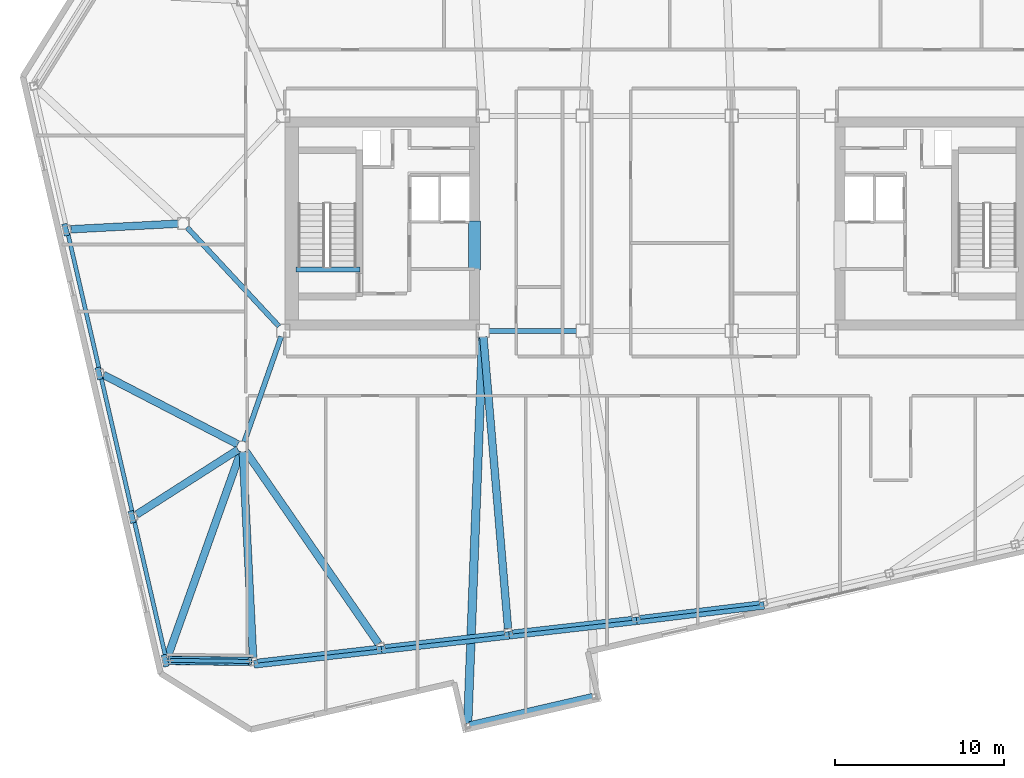
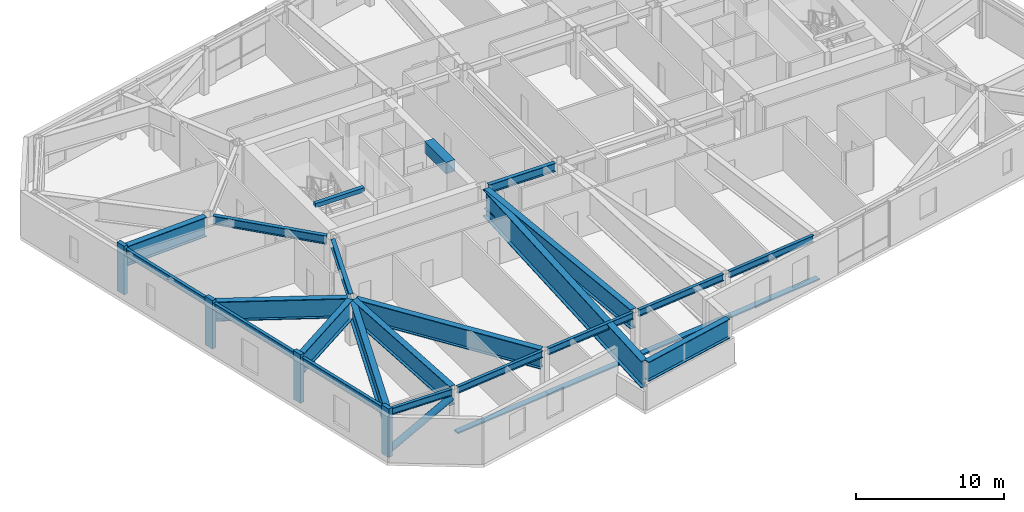
# One storey, part 5 of 21: 22 beams, 9 members.
"""IFC4 building model written with IfcOpenShell, lengths in metres."""

import ifcopenshell
import ifcopenshell.guid

model = None  # the IFC model being written
_history = None  # IfcOwnerHistory: only IFC2X3 demands one
_inside = {}  # id of a spatial element -> (the spatial element, [elements in it])
_under = {}  # id of a project, library or spatial element -> (it, [spatial elements below it])
_declared = {}  # id of a project -> (the project, [libraries it declares])
_typed = {}  # id of a type object -> (the type object, [elements of that type])
_made_of = {}  # id of a material, layer set ... -> (it, [elements and type objects made of it])


def new_model(schema):
    """Start an empty IFC model of exactly this schema.

    Asked for "IFC4X3", IfcOpenShell would pick the latest addendum, in which some entities
    have other attributes; the version numbers below select the first issue.
    IFC2X3 requires an IfcOwnerHistory on every rooted entity: one is made here for all.
    """
    global model, _history
    if schema == "IFC4X3":
        model = ifcopenshell.file(schema_version=(4, 3, 0, 0))
    else:
        model = ifcopenshell.file(schema=schema)
    _inside.clear()
    _under.clear()
    _declared.clear()
    _typed.clear()
    _made_of.clear()
    _history = None
    if model.schema == "IFC2X3":
        org = make("IfcOrganization", Name="unknown")
        user = make(
            "IfcPersonAndOrganization",
            ThePerson=make("IfcPerson", FamilyName="unknown"),
            TheOrganization=org,
        )
        app = make(
            "IfcApplication",
            ApplicationDeveloper=org,
            Version="unknown",
            ApplicationFullName="unknown",
            ApplicationIdentifier="unknown",
        )
        _history = make(
            "IfcOwnerHistory",
            OwningUser=user,
            OwningApplication=app,
            ChangeAction="ADDED",
            CreationDate=0,
        )
    return model


def make(cls, **values):
    """One entity of the class cls with the attributes given. An attribute that is None is left unset."""
    return model.create_entity(
        cls, **{name: value for name, value in values.items() if value is not None}
    )


def rooted(cls, **values):
    """An entity with a GlobalId (a new one), such as an element, a storey or a relation."""
    return make(cls, GlobalId=ifcopenshell.guid.new(), OwnerHistory=_history, **values)


def si_unit(unit_type, name, prefix=None):
    """IfcSIUnit, for example si_unit("LENGTHUNIT", "METRE", prefix="MILLI")."""
    return make("IfcSIUnit", UnitType=unit_type, Prefix=prefix, Name=name)


def assignment(units):
    """IfcUnitAssignment: the units of a project."""
    return None if units is None else make("IfcUnitAssignment", Units=units)


def point(xyz):
    """IfcCartesianPoint."""
    return None if xyz is None else make("IfcCartesianPoint", Coordinates=xyz)


def direction(xyz):
    """IfcDirection."""
    return None if xyz is None else make("IfcDirection", DirectionRatios=xyz)


def frame(location, z_axis=None, x_axis=None):
    """IfcAxis2Placement3D, a coordinate frame: its origin and axes. An axis left out is left unset."""
    return make(
        "IfcAxis2Placement3D",
        Location=point(location),
        Axis=direction(z_axis),
        RefDirection=direction(x_axis),
    )


def frame_2d(location, x_axis=None):
    """IfcAxis2Placement2D, a coordinate frame in the plane: its origin and x axis."""
    return make(
        "IfcAxis2Placement2D", Location=point(location), RefDirection=direction(x_axis)
    )


def origin():
    """The frame at (0, 0, 0) with its axes left unset."""
    return frame((0.0, 0.0, 0.0))


def origin_2d():
    """The frame at (0, 0) in the plane with its x axis left unset."""
    return frame_2d((0.0, 0.0))


def place(relative_to, where):
    """IfcLocalPlacement: puts the frame where relative to a parent placement (None: the world)."""
    return make(
        "IfcLocalPlacement", PlacementRelTo=relative_to, RelativePlacement=where
    )


def context(
    kind, dimensions, precision=None, world=None, true_north=None, identifier=None
):
    """IfcGeometricRepresentationContext, for example the 3D "Model" context."""
    return make(
        "IfcGeometricRepresentationContext",
        ContextIdentifier=identifier,
        ContextType=kind,
        CoordinateSpaceDimension=dimensions,
        Precision=precision,
        WorldCoordinateSystem=world,
        TrueNorth=true_north,
    )


def subcontext(parent, identifier, kind, view, scale=None):
    """IfcGeometricRepresentationSubContext, for example "Body" below "Model"."""
    return make(
        "IfcGeometricRepresentationSubContext",
        ContextIdentifier=identifier,
        ContextType=kind,
        ParentContext=parent,
        TargetScale=scale,
        TargetView=view,
    )


def project(units=None, contexts=None):
    """IfcProject with its units and contexts."""
    return rooted(
        "IfcProject",
        Name="project",
        RepresentationContexts=contexts,
        UnitsInContext=assignment(units),
    )


def spatial(cls, under=None, at=None, **own):
    """A site, building, storey or space (cls), placed at a placement, below another one or the project."""
    s = rooted(cls, ObjectPlacement=at, **own)
    if under is not None:
        _under.setdefault(under.id(), (under, []))[1].append(s)
    return s


def profile(cls, at=None, kind="AREA", **sizes):
    """A parametric profile (cls). Its sizes go by their IFC names, for example OverallWidth=200.0."""
    return make(cls, ProfileType=kind, Position=at, **sizes)


def rectangle(**sizes):
    """IfcRectangleProfileDef."""
    return profile("IfcRectangleProfileDef", **sizes)


def hollow_circle(**sizes):
    """IfcCircleHollowProfileDef."""
    return profile("IfcCircleHollowProfileDef", **sizes)


def i_section(**sizes):
    """IfcIShapeProfileDef."""
    return profile("IfcIShapeProfileDef", **sizes)


def extrude(swept, where, along, depth):
    """IfcExtrudedAreaSolid: the profile swept, set in the frame where, extruded along a direction by depth."""
    return make(
        "IfcExtrudedAreaSolid",
        SweptArea=swept,
        Position=where,
        ExtrudedDirection=direction(along),
        Depth=depth,
    )


def shape(context_of_items, identifier, shape_type, items):
    """IfcShapeRepresentation: the items that make up one representation, for example the "Body"."""
    return make(
        "IfcShapeRepresentation",
        ContextOfItems=context_of_items,
        RepresentationIdentifier=identifier,
        RepresentationType=shape_type,
        Items=items,
    )


def material(Name=None, Category=None):
    """IfcMaterial."""
    return make("IfcMaterial", Name=Name, Category=Category)


def material_profile(
    of_material, cross_section, Name=None, Category=None, Priority=None
):
    """IfcMaterialProfile: a cross section and its material."""
    return make(
        "IfcMaterialProfile",
        Name=Name,
        Material=of_material,
        Profile=cross_section,
        Priority=Priority,
        Category=Category,
    )


def profile_set(profiles, Name=None, composite=None):
    """IfcMaterialProfileSet."""
    return make(
        "IfcMaterialProfileSet",
        Name=Name,
        MaterialProfiles=profiles,
        CompositeProfile=composite,
    )


def made_of(thing, what):
    """Note that an element or type object is made of a material, layer set ...; save() writes the relation."""
    if what is not None:
        _made_of.setdefault(what.id(), (what, []))[1].append(thing)
    return thing


def type_object(cls, material=None, **own):
    """A type object (cls), such as IfcWallType, which elements share."""
    return made_of(rooted(cls, **own), material)


def element(
    cls,
    number,
    at=None,
    inside=None,
    cuts=None,
    type_object=None,
    material=None,
    context=None,
    identifier="Body",
    shape_type=None,
    held_by="IfcProductDefinitionShape",
    body=None,
    shapes=None,
    **own,
):
    """One element of the class cls, such as IfcWall. Its Tag is "e" and its number.

    at: its placement. inside: the storey or other place that contains it. cuts: it is an
    opening in that element (IfcRelVoidsElement). A single representation is given by context,
    identifier, shape_type and body (its items); several are given by shapes. held_by: the class
    of the entity that holds the representations. save() writes the other relations.
    """
    e = rooted(cls, Tag="e%d" % number, ObjectPlacement=at, **own)
    if body is not None:
        shapes = [shape(context, identifier, shape_type, body)]
    if shapes is not None:
        e.Representation = make(held_by, Representations=shapes)
    if inside is not None:
        _inside.setdefault(inside.id(), (inside, []))[1].append(e)
    if cuts is not None:
        rooted(
            "IfcRelVoidsElement", RelatingBuildingElement=cuts, RelatedOpeningElement=e
        )
    if type_object is not None:
        _typed.setdefault(type_object.id(), (type_object, []))[1].append(e)
    return made_of(e, material)


def aggregate(whole, parts):
    """IfcRelAggregates: a whole, such as a stair, and the parts it consists of."""
    return rooted("IfcRelAggregates", RelatingObject=whole, RelatedObjects=parts)


def save(model, path):
    """Write the relations noted so far, then the file.

    IfcRelAggregates (storeys below a building ...), IfcRelContainedInSpatialStructure (elements
    in a storey), IfcRelDefinesByType, IfcRelAssociatesMaterial and IfcRelDeclares: one each for
    every whole, place, type object, material and project.
    """
    for whole, parts in _under.values():
        aggregate(whole, parts)
    for where, things in _inside.values():
        rooted(
            "IfcRelContainedInSpatialStructure",
            RelatedElements=things,
            RelatingStructure=where,
        )
    for kind, things in _typed.values():
        rooted("IfcRelDefinesByType", RelatedObjects=things, RelatingType=kind)
    for what, things in _made_of.values():
        rooted("IfcRelAssociatesMaterial", RelatedObjects=things, RelatingMaterial=what)
    for by, libraries in _declared.values():
        rooted("IfcRelDeclares", RelatingContext=by, RelatedDefinitions=libraries)
    model.write(path)


model = new_model("IFC4")

# Units and contexts
model_context = context("Model", 3, precision=1e-05, world=origin(), true_north=direction((0.0, 1.0)))
body_context = subcontext(model_context, "Body", "Model", "MODEL_VIEW")
ifc_project = project(units=[si_unit("LENGTHUNIT", "METRE"), si_unit("AREAUNIT", "SQUARE_METRE"), si_unit("VOLUMEUNIT", "CUBIC_METRE"), si_unit("PLANEANGLEUNIT", "RADIAN"), si_unit("MASSUNIT", "GRAM", prefix="KILO")], contexts=[model_context])

# Site, building, storey
site_placement = place(None, origin())
site = spatial("IfcSite", under=ifc_project, at=site_placement, CompositionType="ELEMENT")
building_placement = place(site_placement, origin())
building = spatial("IfcBuilding", under=site, at=building_placement, Name="Tavrogorsk Clinical Tower", CompositionType="ELEMENT")
storey_placement = place(building_placement, frame((0.0, 0.0, 281.0)))
storey = spatial("IfcBuildingStorey", under=building, at=storey_placement, Name="L65", CompositionType="ELEMENT", Elevation=281.0)

# Members
ifc_material_1 = material(Name="Anodised aluminium alloy AW-6063", Category="aluminium")
ifc_material_profile_1 = material_profile(ifc_material_1, rectangle(XDim=0.449951171875, YDim=0.1201171875, at=origin_2d()), Name="ALU-SUNSHADE-450x120")
ifc_profile_set_1 = profile_set([ifc_material_profile_1], Name="Anodised aluminium alloy AW-6063")
member_type_1 = type_object("IfcMemberType", Name="ChicagoSunshade_450x120", PredefinedType="USERDEFINED", material=ifc_profile_set_1)
member_1_placement = place(storey_placement, frame((-23.826416015625, -26.061279296875, 0.179931640625), z_axis=(0.993572551544, 0.113197106051, 0.0), x_axis=(-0.113197106051, 0.993572551544, 0.0)))
element("IfcMember", 1, at=member_1_placement, inside=storey, type_object=member_type_1, Name="L65 South Aluminium Sunshade S1", ObjectType="SUNSHADE", PredefinedType="USERDEFINED", context=body_context, shape_type="SweptSolid", body=[
    extrude(rectangle(XDim=0.449951171875, YDim=0.1201171875, at=origin_2d()), origin(), (0.0, 0.0, 1.0), 7.58544921875),
])
for number, where, z_axis, x_axis, name in (
    (2, (-16.289794921875, -25.20263671875, 0.179931640625), (0.99357213911, 0.113200726076, 0.0), (-0.113200726076, 0.99357213911, 0.0), "L65 South Aluminium Sunshade S2"),
    (3, (-8.75341796875, -24.343994140625, 0.179931640625), (0.993568518474, 0.113232500178, 0.0), (-0.113232500178, 0.993568518474, 0.0), "L65 South Aluminium Sunshade S3"),
):
    element("IfcMember", number, at=place(storey_placement, frame(where, z_axis=z_axis, x_axis=x_axis)), inside=storey, type_object=member_type_1, Name=name, ObjectType="SUNSHADE", PredefinedType="USERDEFINED", context=body_context, shape_type="SweptSolid", body=[
        extrude(rectangle(XDim=0.449951171875, YDim=0.1201171875, at=origin_2d()), origin(), (0.0, 0.0, 1.0), 7.585205078125),
    ])
member_2_placement = place(storey_placement, frame((-1.217041015625, -23.485107421875, 0.179931640625), z_axis=(0.992736345015, 0.120310221037, 0.0), x_axis=(-0.120310221037, 0.992736345015, 0.0)))
element("IfcMember", 4, at=member_2_placement, inside=storey, type_object=member_type_1, Name="L65 South Aluminium Sunshade S4", ObjectType="SUNSHADE", PredefinedType="USERDEFINED", context=body_context, shape_type="SweptSolid", body=[
    extrude(rectangle(XDim=0.449951171875, YDim=0.1201171875, at=origin_2d()), origin(), (0.0, 0.0, 1.0), 7.58544921875),
])

# Beam
ifc_material_2 = material(Name="Concrete B80", Category="concrete")
ifc_material_profile_2 = material_profile(ifc_material_2, rectangle(XDim=0.699951171875, YDim=0.949951171875, at=origin_2d()), Name="RC-CB-700x950")
ifc_profile_set_2 = profile_set([ifc_material_profile_2], Name="Concrete B80")
beam_type_1 = type_object("IfcBeamType", Name="CouplingBeam_RC700x950", PredefinedType="LINTEL", material=ifc_profile_set_2)
beam_1_placement = place(storey_placement, frame((-10.800048828125, -2.75, 3.264892578125), z_axis=(0.0, 1.0, 0.0), x_axis=(-1.0, 0.0, 0.0)))
element("IfcBeam", 5, at=beam_1_placement, inside=storey, type_object=beam_type_1, Name="L65 Core West Coupling Beam", PredefinedType="LINTEL", context=body_context, shape_type="SweptSolid", body=[
    extrude(rectangle(XDim=0.699951171875, YDim=0.949951171875, at=origin_2d()), origin(), (0.0, 0.0, 1.0), 2.89990234375),
])

# Members
ifc_material_3 = material(Name="Structural steel S440", Category="steel")
ifc_material_profile_3 = material_profile(ifc_material_3, hollow_circle(Radius=0.25390625, WallThickness=0.02001953125, at=origin_2d()), Name="CHS-508x20")
ifc_profile_set_3 = profile_set([ifc_material_profile_3], Name="Structural steel S440")
member_type_2 = type_object("IfcMemberType", Name="ExoBrace_CHS508", PredefinedType="BRACE", material=ifc_profile_set_3)
member_3_placement = place(storey_placement, frame((-28.794677734375, -25.821533203125, 0.412841796875), z_axis=(0.874894907887, -0.011394569062, 0.484178752062), x_axis=(0.013022824449, 0.999915199426, 0.0)))
element("IfcMember", 6, at=member_3_placement, inside=storey, type_object=member_type_2, Name="L65 Corner Exoskeleton Brace W5-S1", PredefinedType="BRACE", context=body_context, shape_type="SweptSolid", body=[
    extrude(hollow_circle(Radius=0.25390625, WallThickness=0.02001953125, at=origin_2d()), origin(), (0.0, 0.0, 1.0), 5.3994140625),
])
ifc_material_4 = material(Name="Precast concrete B45 with limestone cladding", Category="masonry")
ifc_material_profile_4 = material_profile(ifc_material_4, rectangle(XDim=0.320068359375, YDim=0.719970703125, at=origin_2d()), Name="LIMESTONE-FIN-320x720")
ifc_profile_set_4 = profile_set([ifc_material_profile_4], Name="Precast concrete B45 with limestone cladding")
member_type_3 = type_object("IfcMemberType", Name="LimestonePleatFin_320x720", PredefinedType="USERDEFINED", material=ifc_profile_set_4)
for number, where, z_axis, x_axis, name in (
    (7, (-34.95458984375, -0.376708984375, 0.0), (0.0, 0.0, 1.0), (0.974370064785, 0.224951054344, 0.0), "L65 W Pleated Stone Fin 1"),
    (8, (-32.995361328125, -8.863525390625, 0.0), (0.0, 0.0, 1.0), (0.974370064785, 0.224951054344, 0.0), "L65 W Pleated Stone Fin 2"),
    (9, (-31.035888671875, -17.35009765625, 0.0), (0.0, 0.0, 1.0), (0.974370064785, 0.224951054344, 0.0), "L65 W Pleated Stone Fin 3"),
    (10, (-29.07666015625, -25.8369140625, 0.0), (0.0, 0.0, 1.0), (0.974370064785, 0.224951054344, 0.0), "L65 W Pleated Stone Fin 4"),
):
    element("IfcMember", number, at=place(storey_placement, frame(where, z_axis=z_axis, x_axis=x_axis)), inside=storey, type_object=member_type_3, Name=name, ObjectType="FIN", PredefinedType="USERDEFINED", context=body_context, shape_type="SweptSolid", body=[
        extrude(rectangle(XDim=0.320068359375, YDim=0.719970703125, at=origin_2d()), origin(), (0.0, 0.0, 1.0), 4.0),
    ])

# Beams
ifc_material_5 = material(Name="Structural steel S390", Category="steel")
ifc_material_profile_5 = material_profile(ifc_material_5, i_section(OverallWidth=0.300048828125, OverallDepth=0.699951171875, WebThickness=0.01708984375, FlangeThickness=0.028076171875, at=origin_2d()), Name="B-700x300x17x28")
ifc_profile_set_5 = profile_set([ifc_material_profile_5], Name="Structural steel S390")
beam_type_2 = type_object("IfcBeamType", Name="PrimaryGirder_B700", PredefinedType="USERDEFINED", material=ifc_profile_set_5)
beam_2_placement = place(storey_placement, frame((-9.93994140625, -6.35009765625, 3.389892578125), z_axis=(1.0, 0.0, 0.0), x_axis=(0.0, 1.0, 0.0)))
element("IfcBeam", 11, at=beam_2_placement, inside=storey, type_object=beam_type_2, Name="L65 Primary Spine Girder MG-01", ObjectType="GIRDER", PredefinedType="USERDEFINED", context=body_context, shape_type="SweptSolid", body=[
    extrude(i_section(OverallWidth=0.300048828125, OverallDepth=0.699951171875, WebThickness=0.01708984375, FlangeThickness=0.028076171875, at=origin_2d()), origin(), (0.0, 0.0, 1.0), 5.179931640625),
])
beam_3_placement = place(storey_placement, frame((-24.3974609375, -12.907470703125, 3.389892578125), z_axis=(0.330654121425, 0.943752007672, 0.0), x_axis=(-0.943752007672, 0.330654121425, 0.0)))
element("IfcBeam", 12, at=beam_3_placement, inside=storey, type_object=beam_type_2, Name="L65 Spine Link Girder OPG-1", ObjectType="GIRDER", PredefinedType="USERDEFINED", context=body_context, shape_type="SweptSolid", body=[
    extrude(i_section(OverallWidth=0.300048828125, OverallDepth=0.699951171875, WebThickness=0.01708984375, FlangeThickness=0.028076171875, at=origin_2d()), origin(), (0.0, 0.0, 1.0), 6.58837890625),
])
beam_4_placement = place(storey_placement, frame((-27.7890625, -0.22705078125, 3.389892578125), z_axis=(0.680684060959, -0.732577101168, 0.0), x_axis=(0.732577101168, 0.680684060959, 0.0)))
element("IfcBeam", 13, at=beam_4_placement, inside=storey, type_object=beam_type_2, Name="L65 Spine Link Girder OPG-5", ObjectType="GIRDER", PredefinedType="USERDEFINED", context=body_context, shape_type="SweptSolid", body=[
    extrude(i_section(OverallWidth=0.300048828125, OverallDepth=0.699951171875, WebThickness=0.01708984375, FlangeThickness=0.028076171875, at=origin_2d()), origin(), (0.0, 0.0, 1.0), 7.998046875),
])
ifc_material_6 = material(Name="Structural steel S390", Category="steel")
ifc_material_profile_6 = material_profile(ifc_material_6, i_section(OverallWidth=0.239990234375, OverallDepth=0.550048828125, WebThickness=0.013916015625, FlangeThickness=0.02197265625, at=origin_2d()), Name="B-550x240x14x22")
ifc_profile_set_6 = profile_set([ifc_material_profile_6], Name="Structural steel S390")
beam_type_3 = type_object("IfcBeamType", Name="SpandrelBeam_B550", PredefinedType="SPANDREL", material=ifc_profile_set_6)
for number, where, z_axis, x_axis, name in (
    (14, (-23.635498046875, -25.859375, 3.465087890625), (0.993572073137, 0.113201305126, 0.0), (-0.113201305126, 0.993572073137, 0.0), "L65 Perimeter Spandrel S1-S2"),
    (15, (-16.098876953125, -25.000732421875, 3.465087890625), (0.993572073137, 0.113201305126, 0.0), (-0.113201305126, 0.993572073137, 0.0), "L65 Perimeter Spandrel S2-S3"),
    (16, (-8.5625, -24.14208984375, 3.465087890625), (0.993572073137, 0.113201305126, 0.0), (-0.113201305126, 0.993572073137, 0.0), "L65 Perimeter Spandrel S3-S4"),
):
    element("IfcBeam", number, at=place(storey_placement, frame(where, z_axis=z_axis, x_axis=x_axis)), inside=storey, type_object=beam_type_3, Name=name, PredefinedType="SPANDREL", context=body_context, shape_type="SweptSolid", body=[
        extrude(i_section(OverallWidth=0.239990234375, OverallDepth=0.550048828125, WebThickness=0.013916015625, FlangeThickness=0.02197265625, at=origin_2d()), origin(), (0.0, 0.0, 1.0), 7.119140625),
    ])
beam_5_placement = place(storey_placement, frame((-1.026123046875, -23.28173828125, 3.465087890625), z_axis=(0.992733657897, 0.120332391639, 0.0), x_axis=(-0.120332391639, 0.992733657897, 0.0)))
element("IfcBeam", 17, at=beam_5_placement, inside=storey, type_object=beam_type_3, Name="L65 Perimeter Spandrel S4-S5", PredefinedType="SPANDREL", context=body_context, shape_type="SweptSolid", body=[
    extrude(i_section(OverallWidth=0.239990234375, OverallDepth=0.550048828125, WebThickness=0.013916015625, FlangeThickness=0.02197265625, at=origin_2d()), origin(), (0.0, 0.0, 1.0), 7.119384765625),
])
beam_6_placement = place(storey_placement, frame((-34.82421875, -0.585693359375, 3.465087890625), z_axis=(0.224950345141, -0.974370228517, 0.0), x_axis=(0.974370228517, 0.224950345141, 0.0)))
element("IfcBeam", 18, at=beam_6_placement, inside=storey, type_object=beam_type_3, Name="L65 Perimeter Spandrel W2-W3", PredefinedType="SPANDREL", context=body_context, shape_type="SweptSolid", body=[
    extrude(i_section(OverallWidth=0.239990234375, OverallDepth=0.550048828125, WebThickness=0.013916015625, FlangeThickness=0.02197265625, at=origin_2d()), origin(), (0.0, 0.0, 1.0), 8.243896484375),
])
beam_7_placement = place(storey_placement, frame((-32.864990234375, -9.072509765625, 3.465087890625), z_axis=(0.224978460613, -0.974363737144, 0.0), x_axis=(0.974363737144, 0.224978460613, 0.0)))
element("IfcBeam", 19, at=beam_7_placement, inside=storey, type_object=beam_type_3, Name="L65 Perimeter Spandrel W3-W4", PredefinedType="SPANDREL", context=body_context, shape_type="SweptSolid", body=[
    extrude(i_section(OverallWidth=0.239990234375, OverallDepth=0.550048828125, WebThickness=0.013916015625, FlangeThickness=0.02197265625, at=origin_2d()), origin(), (0.0, 0.0, 1.0), 8.244140625),
])
beam_8_placement = place(storey_placement, frame((-30.905517578125, -17.559326171875, 3.465087890625), z_axis=(0.224950345141, -0.974370228517, 0.0), x_axis=(0.974370228517, 0.224950345141, 0.0)))
element("IfcBeam", 20, at=beam_8_placement, inside=storey, type_object=beam_type_3, Name="L65 Perimeter Spandrel W4-W5", PredefinedType="SPANDREL", context=body_context, shape_type="SweptSolid", body=[
    extrude(i_section(OverallWidth=0.239990234375, OverallDepth=0.550048828125, WebThickness=0.013916015625, FlangeThickness=0.02197265625, at=origin_2d()), origin(), (0.0, 0.0, 1.0), 8.243896484375),
])
beam_9_placement = place(storey_placement, frame((-28.765625, -25.822021484375, 3.465087890625), z_axis=(0.999915131489, -0.013028039754, 0.0), x_axis=(0.013028039754, 0.999915131489, 0.0)))
element("IfcBeam", 21, at=beam_9_placement, inside=storey, type_object=beam_type_3, Name="L65 Perimeter Spandrel W5-S1", PredefinedType="SPANDREL", context=body_context, shape_type="SweptSolid", body=[
    extrude(i_section(OverallWidth=0.239990234375, OverallDepth=0.550048828125, WebThickness=0.013916015625, FlangeThickness=0.02197265625, at=origin_2d()), origin(), (0.0, 0.0, 1.0), 4.666259765625),
])
ifc_material_7 = material(Name="Concrete B60", Category="concrete")
ifc_material_profile_7 = material_profile(ifc_material_7, rectangle(XDim=0.300048828125, YDim=0.35009765625, at=origin_2d()), Name="RC-SHB-300x350")
ifc_profile_set_7 = profile_set([ifc_material_profile_7], Name="Concrete B60")
beam_type_4 = type_object("IfcBeamType", Name="StairHeaderBeam_RC300x350", PredefinedType="BEAM", material=ifc_profile_set_7)
beam_10_placement = place(storey_placement, frame((-21.35009765625, -2.719970703125, 3.824951171875), z_axis=(1.0, 0.0, 0.0), x_axis=(0.0, 1.0, 0.0)))
element("IfcBeam", 22, at=beam_10_placement, inside=storey, type_object=beam_type_4, Name="L66 ST-W Landing Header Beam", PredefinedType="BEAM", context=body_context, shape_type="SweptSolid", body=[
    extrude(rectangle(XDim=0.300048828125, YDim=0.35009765625, at=origin_2d()), origin(), (0.0, 0.0, 1.0), 3.800048828125),
])
ifc_material_8 = material(Name="Structural steel S440", Category="steel")
ifc_material_profile_8 = material_profile(ifc_material_8, i_section(OverallWidth=0.449951171875, OverallDepth=1.60009765625, WebThickness=0.031982421875, FlangeThickness=0.050048828125, at=origin_2d()), Name="DK-1600x450x32x50")
ifc_profile_set_8 = profile_set([ifc_material_profile_8], Name="Structural steel S440")
beam_type_5 = type_object("IfcBeamType", Name="TransferGirder_DK1600", PredefinedType="USERDEFINED", material=ifc_profile_set_8)
beam_11_placement = place(storey_placement, frame((-24.484619140625, -13.509521484375, 2.93994140625), z_axis=(0.049857498916, -0.998756341558, 0.0), x_axis=(0.998756341558, 0.049857498916, 0.0)))
element("IfcBeam", 23, at=beam_11_placement, inside=storey, type_object=beam_type_5, Name="L65 Radial Floor Beam S1", ObjectType="GIRDER", PredefinedType="USERDEFINED", context=body_context, shape_type="SweptSolid", body=[
    extrude(i_section(OverallWidth=0.449951171875, OverallDepth=1.60009765625, WebThickness=0.031982421875, FlangeThickness=0.050048828125, at=origin_2d()), origin(), (0.0, 0.0, 1.0), 12.15869140625),
])
beam_12_placement = place(storey_placement, frame((-24.32373046875, -13.455078125, 2.93994140625), z_axis=(0.568335848504, -0.82279667191, 0.0), x_axis=(0.82279667191, 0.568335848504, 0.0)))
element("IfcBeam", 24, at=beam_12_placement, inside=storey, type_object=beam_type_5, Name="L65 Radial Floor Beam S2", ObjectType="GIRDER", PredefinedType="USERDEFINED", context=body_context, shape_type="SweptSolid", body=[
    extrude(i_section(OverallWidth=0.449951171875, OverallDepth=1.60009765625, WebThickness=0.031982421875, FlangeThickness=0.050048828125, at=origin_2d()), origin(), (0.0, 0.0, 1.0), 13.831298828125),
])
beam_13_placement = place(storey_placement, frame((-10.269775390625, -6.708740234375, 2.93994140625), z_axis=(0.084218746676, -0.996447290482, 0.0), x_axis=(0.996447290482, 0.084218746676, 0.0)))
element("IfcBeam", 25, at=beam_13_placement, inside=storey, type_object=beam_type_5, Name="L65 Radial Floor Beam S3", ObjectType="GIRDER", PredefinedType="USERDEFINED", context=body_context, shape_type="SweptSolid", body=[
    extrude(i_section(OverallWidth=0.449951171875, OverallDepth=1.60009765625, WebThickness=0.031982421875, FlangeThickness=0.050048828125, at=origin_2d()), origin(), (0.0, 0.0, 1.0), 17.2890625),
])
beam_14_placement = place(storey_placement, frame((-28.3095703125, -0.01611328125, 2.93994140625), z_axis=(-0.99864101713, -0.052116397656, 0.0), x_axis=(0.052116397656, -0.99864101713, 0.0)))
element("IfcBeam", 26, at=beam_14_placement, inside=storey, type_object=beam_type_5, Name="L65 Radial Floor Beam W2", ObjectType="GIRDER", PredefinedType="USERDEFINED", context=body_context, shape_type="SweptSolid", body=[
    extrude(i_section(OverallWidth=0.449951171875, OverallDepth=1.60009765625, WebThickness=0.031982421875, FlangeThickness=0.050048828125, at=origin_2d()), origin(), (0.0, 0.0, 1.0), 6.3427734375),
])
beam_15_placement = place(storey_placement, frame((-24.775390625, -13.0576171875, 2.93994140625), z_axis=(-0.888188417157, 0.459479418069, 0.0), x_axis=(-0.459479418069, -0.888188417157, 0.0)))
element("IfcBeam", 27, at=beam_15_placement, inside=storey, type_object=beam_type_5, Name="L65 Radial Floor Beam W3", ObjectType="GIRDER", PredefinedType="USERDEFINED", context=body_context, shape_type="SweptSolid", body=[
    extrude(i_section(OverallWidth=0.449951171875, OverallDepth=1.60009765625, WebThickness=0.031982421875, FlangeThickness=0.050048828125, at=origin_2d()), origin(), (0.0, 0.0, 1.0), 8.93408203125),
])
beam_16_placement = place(storey_placement, frame((-24.76123046875, -13.3671875, 2.93994140625), z_axis=(-0.842332392078, -0.538958385459, 0.0), x_axis=(0.538958385459, -0.842332392078, 0.0)))
element("IfcBeam", 28, at=beam_16_placement, inside=storey, type_object=beam_type_5, Name="L65 Radial Floor Beam W4", ObjectType="GIRDER", PredefinedType="USERDEFINED", context=body_context, shape_type="SweptSolid", body=[
    extrude(i_section(OverallWidth=0.449951171875, OverallDepth=1.60009765625, WebThickness=0.031982421875, FlangeThickness=0.050048828125, at=origin_2d()), origin(), (0.0, 0.0, 1.0), 7.123779296875),
])
beam_17_placement = place(storey_placement, frame((-24.60400390625, -13.491943359375, 2.93994140625), z_axis=(-0.335800921645, -0.941932981173, 0.0), x_axis=(0.941932981173, -0.335800921645, 0.0)))
element("IfcBeam", 29, at=beam_17_placement, inside=storey, type_object=beam_type_5, Name="L65 Radial Floor Beam W5", ObjectType="GIRDER", PredefinedType="USERDEFINED", context=body_context, shape_type="SweptSolid", body=[
    extrude(i_section(OverallWidth=0.449951171875, OverallDepth=1.60009765625, WebThickness=0.031982421875, FlangeThickness=0.050048828125, at=origin_2d()), origin(), (0.0, 0.0, 1.0), 12.85400390625),
])
beam_18_placement = place(storey_placement, frame((-11.083740234375, -29.667724609375, 2.93994140625), z_axis=(0.974367472721, 0.224962281513, 0.0), x_axis=(-0.224962281513, 0.974367472721, 0.0)))
element("IfcBeam", 30, at=beam_18_placement, inside=storey, type_object=beam_type_5, Name="L65 Day-Room Front Edge Beam DRB-09", ObjectType="GIRDER", PredefinedType="USERDEFINED", context=body_context, shape_type="SweptSolid", body=[
    extrude(i_section(OverallWidth=0.449951171875, OverallDepth=1.60009765625, WebThickness=0.031982421875, FlangeThickness=0.050048828125, at=origin_2d()), origin(), (0.0, 0.0, 1.0), 7.4599609375),
])
ifc_material_9 = material(Name="Structural steel S440", Category="steel")
ifc_material_profile_9 = material_profile(ifc_material_9, i_section(OverallWidth=0.5, OverallDepth=2.199951171875, WebThickness=0.035888671875, FlangeThickness=0.054931640625, at=origin_2d()), Name="DK-2200x500x36x55")
ifc_profile_set_9 = profile_set([ifc_material_profile_9], Name="Structural steel S440")
beam_type_6 = type_object("IfcBeamType", Name="TransferGirder_DK2200", PredefinedType="USERDEFINED", material=ifc_profile_set_9)
beam_19_placement = place(storey_placement, frame((-10.31396484375, -6.709716796875, 2.639892578125), z_axis=(-0.038550826334, -0.999256640603, 0.0), x_axis=(0.999256640603, -0.038550826334, 0.0)))
element("IfcBeam", 31, at=beam_19_placement, inside=storey, type_object=beam_type_6, Name="L65 Day-Room Cantilever Beam DRB-09-L", ObjectType="GIRDER", PredefinedType="USERDEFINED", context=body_context, shape_type="SweptSolid", body=[
    extrude(i_section(OverallWidth=0.5, OverallDepth=2.199951171875, WebThickness=0.035888671875, FlangeThickness=0.054931640625, at=origin_2d()), origin(), (0.0, 0.0, 1.0), 22.862060546875),
])

save(model, "model.ifc")
